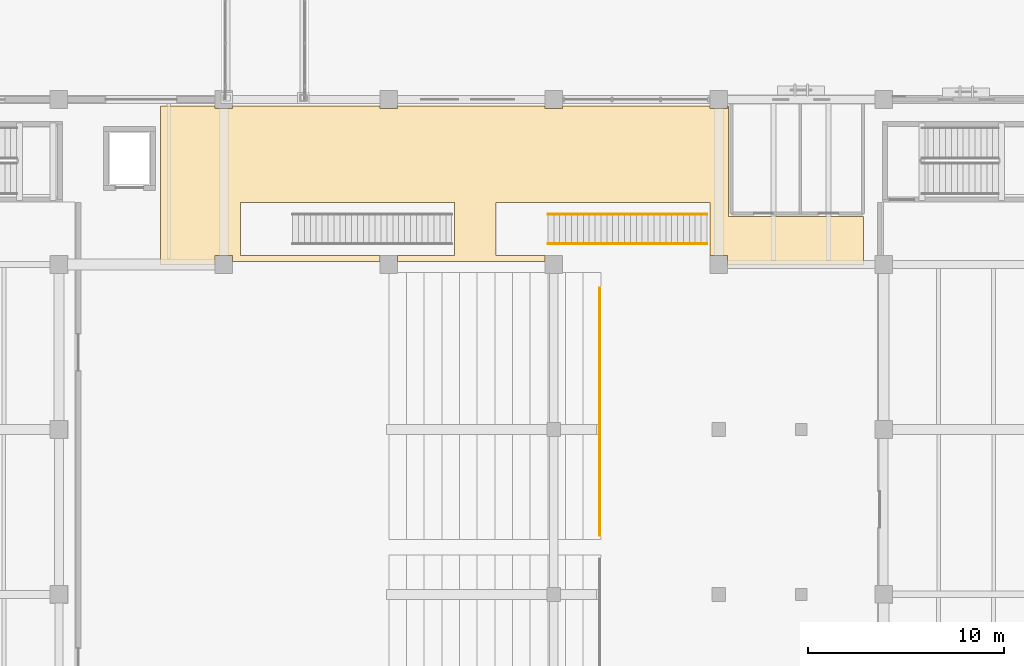
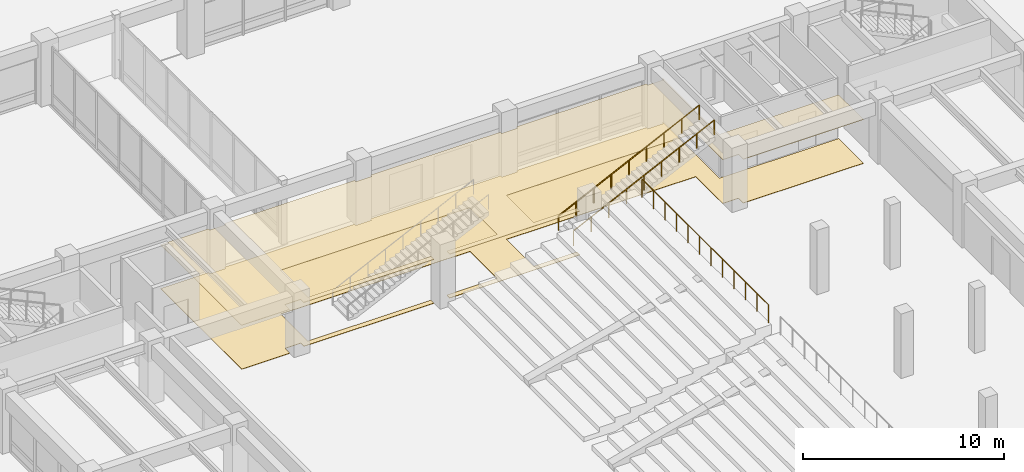
# One storey, part 108 of 135: 3 railings, 2 coverings.
"""IFC4 building model written with IfcOpenShell, lengths in metres."""

from ifc_helpers import new_model, si_unit, direction, frame, origin, origin_2d, place, context, subcontext, project, spatial, polyline, circle, outline, extrude, material, layer, layer_set, type_object, element, save


model = new_model("IFC4")

# Units and contexts
model_context = context("Model", 3, precision=1e-05, world=origin(), true_north=direction((0.0, 1.0)))
body_context = subcontext(model_context, "Body", "Model", "MODEL_VIEW")
ifc_project = project(units=[si_unit("LENGTHUNIT", "METRE"), si_unit("AREAUNIT", "SQUARE_METRE"), si_unit("VOLUMEUNIT", "CUBIC_METRE"), si_unit("PLANEANGLEUNIT", "RADIAN"), si_unit("MASSUNIT", "GRAM", prefix="KILO")], contexts=[model_context])

# Site, building, storey
site_placement = place(None, origin())
site = spatial("IfcSite", under=ifc_project, at=site_placement, CompositionType="ELEMENT")
building_placement = place(site_placement, origin())
building = spatial("IfcBuilding", under=site, at=building_placement, Name="Cumbredor Promenade Congress Hotel", CompositionType="ELEMENT")
storey_placement = place(building_placement, origin())
storey = spatial("IfcBuildingStorey", under=building, at=storey_placement, Name="L00", CompositionType="ELEMENT", Elevation=0.0)

# Covering
ifc_material_1 = material(Name="Acoustic mineral-fiber and gypsum ceiling")
ifc_layer_1 = layer(ifc_material_1, 0.031982421875, Name="Acoustic mineral-fiber and gypsum ceiling")
ifc_layer_set_1 = layer_set([ifc_layer_1], Name="Acoustic mineral-fiber and gypsum ceiling")
covering_type_1 = type_object("IfcCoveringType", Name="Acoustic Perforated Gypsum Ceiling CLG-04 32mm", PredefinedType="CEILING", material=ifc_layer_set_1)
covering_1_placement = place(storey_placement, frame((0.0, 0.0, 2.658935546875)))
element("IfcCovering", 1, at=covering_1_placement, inside=storey, type_object=covering_type_1, Name="Plenary North Court Concourse Acoustic Ceiling", PredefinedType="CEILING", context=body_context, shape_type="SweptSolid", body=[
    extrude(outline(polyline([(26.050048828125, 61.949951171875), (26.050048828125, 59.25), (33.14501953125, 59.25), (33.14501953125, 58.949951171875), (25.655029296875, 58.949951171875), (25.655029296875, 59.2548828125), (24.7451171875, 59.2548828125), (24.7451171875, 58.780029296875), (21.97998046875, 58.780029296875), (21.97998046875, 66.8701171875), (24.7451171875, 66.8701171875), (24.7451171875, 66.7451171875), (25.655029296875, 66.7451171875), (25.655029296875, 66.8701171875), (33.14501953125, 66.8701171875), (33.14501953125, 66.7451171875), (34.054931640625, 66.7451171875), (34.054931640625, 66.8701171875), (41.544921875, 66.8701171875), (41.544921875, 66.7451171875), (42.455078125, 66.7451171875), (42.455078125, 66.8701171875), (49.945068359375, 66.8701171875), (49.945068359375, 66.7451171875), (50.85498046875, 66.7451171875), (50.85498046875, 66.8701171875), (50.89990234375, 66.8701171875), (50.89990234375, 61.25), (57.77001953125, 61.25), (57.77001953125, 58.780029296875), (50.85498046875, 58.780029296875), (50.85498046875, 59.2548828125), (49.949951171875, 59.2548828125), (49.949951171875, 61.949951171875), (39.050048828125, 61.949951171875), (39.050048828125, 59.25), (41.544921875, 59.25), (41.544921875, 58.949951171875), (34.054931640625, 58.949951171875), (34.054931640625, 59.25), (36.949951171875, 59.25), (36.949951171875, 61.949951171875), (26.050048828125, 61.949951171875)])), origin(), (0.0, 0.0, 1.0), 0.031982421875),
])

# Railing
ifc_material_2 = material(Name="Brushed stainless steel", Category="steel")
railing_type_1 = type_object("IfcRailingType", Name="Interior Void & Stair Guardrail GR-1100", PredefinedType="GUARDRAIL", material=ifc_material_2)
railing_placement = place(storey_placement, frame((44.35009765625, 45.0, 3.360107421875)))
element("IfcRailing", 2, at=railing_placement, inside=storey, type_object=railing_type_1, Name="Lower Orchestra Tier 3 Rear Guardrail", PredefinedType="GUARDRAIL", context=body_context, shape_type="SweptSolid", body=[
    extrude(circle(Radius=0.02392578125, at=origin_2d()), frame((0.0, 0.0, 1.09619140625), z_axis=(0.0, 1.0, 0.0), x_axis=(-1.0, 0.0, 0.0)), (0.0, 0.0, 1.0), 12.60009765625),
    extrude(circle(Radius=0.02099609375, at=origin_2d()), origin(), (0.0, 0.0, 1.0), 1.072021484375),
    extrude(circle(Radius=0.02099609375, at=origin_2d()), frame((0.0, 1.1455078125, 0.0)), (0.0, 0.0, 1.0), 1.072021484375),
    extrude(circle(Radius=0.02099609375, at=origin_2d()), frame((0.0, 2.291015625, 0.0)), (0.0, 0.0, 1.0), 1.072021484375),
    extrude(circle(Radius=0.02099609375, at=origin_2d()), frame((0.0, 3.436279296875, 0.0)), (0.0, 0.0, 1.0), 1.072021484375),
    extrude(circle(Radius=0.02099609375, at=origin_2d()), frame((0.0, 4.581787109375, 0.0)), (0.0, 0.0, 1.0), 1.072021484375),
    extrude(circle(Radius=0.02099609375, at=origin_2d()), frame((0.0, 5.727294921875, 0.0)), (0.0, 0.0, 1.0), 1.072021484375),
    extrude(circle(Radius=0.02099609375, at=origin_2d()), frame((0.0, 6.872802734375, 0.0)), (0.0, 0.0, 1.0), 1.072021484375),
    extrude(circle(Radius=0.02099609375, at=origin_2d()), frame((0.0, 8.018310546875, 0.0)), (0.0, 0.0, 1.0), 1.072021484375),
    extrude(circle(Radius=0.02099609375, at=origin_2d()), frame((0.0, 9.163818359375, 0.0)), (0.0, 0.0, 1.0), 1.072021484375),
    extrude(circle(Radius=0.02099609375, at=origin_2d()), frame((0.0, 10.30908203125, 0.0)), (0.0, 0.0, 1.0), 1.072021484375),
    extrude(circle(Radius=0.02099609375, at=origin_2d()), frame((0.0, 11.45458984375, 0.0)), (0.0, 0.0, 1.0), 1.072021484375),
    extrude(circle(Radius=0.02099609375, at=origin_2d()), frame((0.0, 12.60009765625, 0.0)), (0.0, 0.0, 1.0), 1.072021484375),
])

# Covering
ifc_material_3 = material(Name="Porcelain stoneware tile", Category="masonry")
ifc_layer_2 = layer(ifc_material_3, 0.02001953125, Name="Porcelain stoneware tile", Category="masonry")
ifc_layer_set_2 = layer_set([ifc_layer_2], Name="Porcelain stoneware tile")
covering_type_2 = type_object("IfcCoveringType", Name="Porcelain Stoneware Flooring FLR-01 20mm", PredefinedType="FLOORING", material=ifc_layer_set_2)
covering_2_placement = place(storey_placement, origin())
element("IfcCovering", 3, at=covering_2_placement, inside=storey, type_object=covering_type_2, Name="Plenary North Court Concourse Porcelain Flooring", PredefinedType="FLOORING", context=body_context, shape_type="SweptSolid", body=[
    extrude(outline(polyline([(26.050048828125, 61.949951171875), (26.050048828125, 59.25), (33.14501953125, 59.25), (33.14501953125, 58.949951171875), (25.655029296875, 58.949951171875), (25.655029296875, 59.2548828125), (24.7451171875, 59.2548828125), (24.7451171875, 58.780029296875), (21.97998046875, 58.780029296875), (21.97998046875, 66.8701171875), (24.7451171875, 66.8701171875), (24.7451171875, 66.7451171875), (25.655029296875, 66.7451171875), (25.655029296875, 66.8701171875), (33.14501953125, 66.8701171875), (33.14501953125, 66.7451171875), (34.054931640625, 66.7451171875), (34.054931640625, 66.8701171875), (41.544921875, 66.8701171875), (41.544921875, 66.7451171875), (42.455078125, 66.7451171875), (42.455078125, 66.8701171875), (49.945068359375, 66.8701171875), (49.945068359375, 66.7451171875), (50.85498046875, 66.7451171875), (50.85498046875, 66.8701171875), (50.89990234375, 66.8701171875), (50.89990234375, 61.25), (57.77001953125, 61.25), (57.77001953125, 58.780029296875), (50.85498046875, 58.780029296875), (50.85498046875, 59.2548828125), (49.949951171875, 59.2548828125), (49.949951171875, 61.949951171875), (39.050048828125, 61.949951171875), (39.050048828125, 59.25), (41.544921875, 59.25), (41.544921875, 58.949951171875), (34.054931640625, 58.949951171875), (34.054931640625, 59.25), (36.949951171875, 59.25), (36.949951171875, 61.949951171875), (26.050048828125, 61.949951171875)])), origin(), (0.0, 0.0, 1.0), 0.02001953125),
])

# Railings
railing_type_2 = type_object("IfcRailingType", Name="Stair Pitch Handrail HR-900", PredefinedType="HANDRAIL", material=ifc_material_2)
for number, where, name in (
    (4, (41.7041015625, 59.85009765625, -0.0029296875), "Plenary North-East Vomitory Stair Handrail R"),
    (5, (41.7041015625, 61.35009765625, -0.0029296875), "Plenary North-East Vomitory Stair Handrail L"),
):
    element("IfcRailing", number, at=place(storey_placement, frame(where)), inside=storey, type_object=railing_type_2, Name=name, PredefinedType="HANDRAIL", context=body_context, shape_type="SweptSolid", body=[
        extrude(circle(Radius=0.02099609375, at=origin_2d()), frame((0.0, 0.0, 0.87890625), z_axis=(0.900131454984, 0.0, 0.435618369389), x_axis=(0.0, 1.0, 0.0)), (0.0, 0.0, 1.0), 8.99853515625),
        extrude(circle(Radius=0.01806640625, at=origin_2d()), origin(), (0.0, 0.0, 1.0), 0.85791015625),
        extrude(circle(Radius=0.01806640625, at=origin_2d()), frame((1.012451171875, 0.0, 0.489990234375)), (0.0, 0.0, 1.0), 0.85791015625),
        extrude(circle(Radius=0.01806640625, at=origin_2d()), frame((2.02490234375, 0.0, 0.97998046875)), (0.0, 0.0, 1.0), 0.85791015625),
        extrude(circle(Radius=0.01806640625, at=origin_2d()), frame((3.037353515625, 0.0, 1.469970703125)), (0.0, 0.0, 1.0), 0.85791015625),
        extrude(circle(Radius=0.01806640625, at=origin_2d()), frame((4.0498046875, 0.0, 1.9599609375)), (0.0, 0.0, 1.0), 0.85791015625),
        extrude(circle(Radius=0.01806640625, at=origin_2d()), frame((5.0625, 0.0, 2.449951171875)), (0.0, 0.0, 1.0), 0.85791015625),
        extrude(circle(Radius=0.01806640625, at=origin_2d()), frame((6.074951171875, 0.0, 2.93994140625)), (0.0, 0.0, 1.0), 0.85791015625),
        extrude(circle(Radius=0.01806640625, at=origin_2d()), frame((7.08740234375, 0.0, 3.429931640625)), (0.0, 0.0, 1.0), 0.85791015625),
        extrude(circle(Radius=0.01806640625, at=origin_2d()), frame((8.099853515625, 0.0, 3.919921875)), (0.0, 0.0, 1.0), 0.85791015625),
    ])

save(model, "model.ifc")
